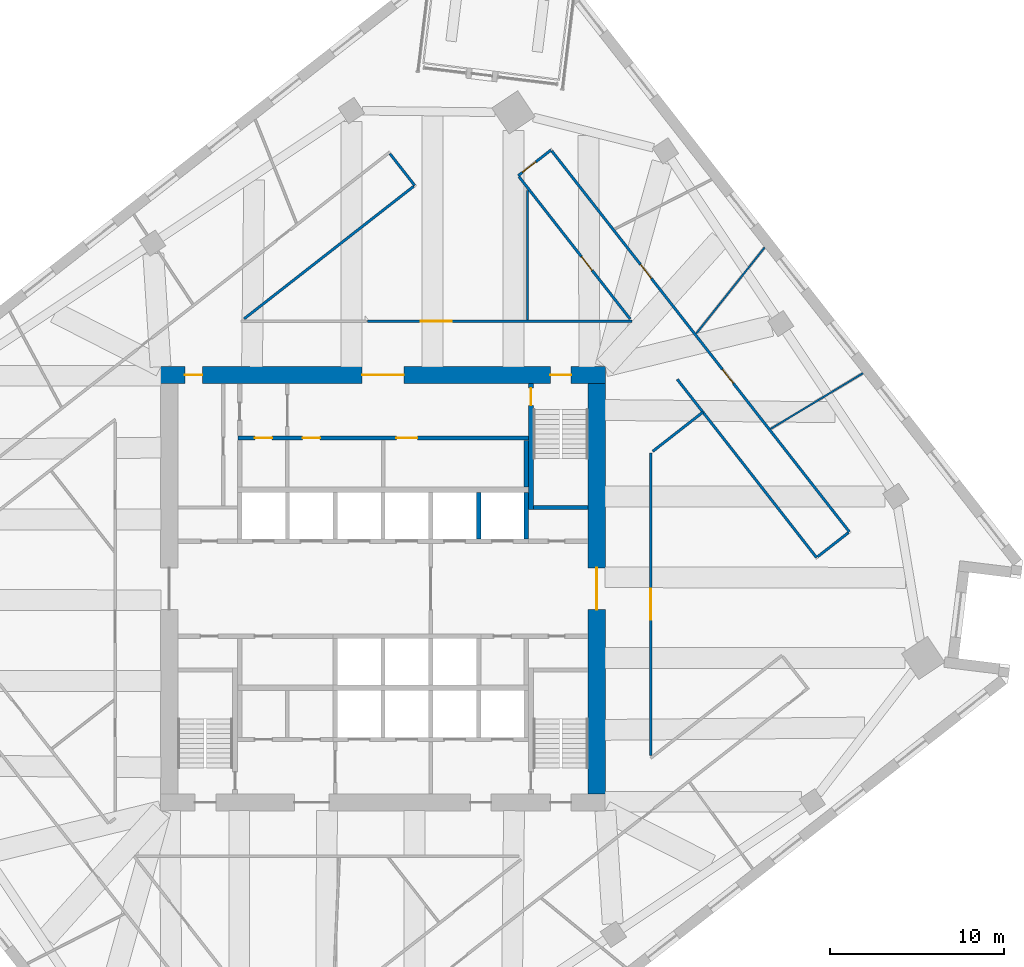
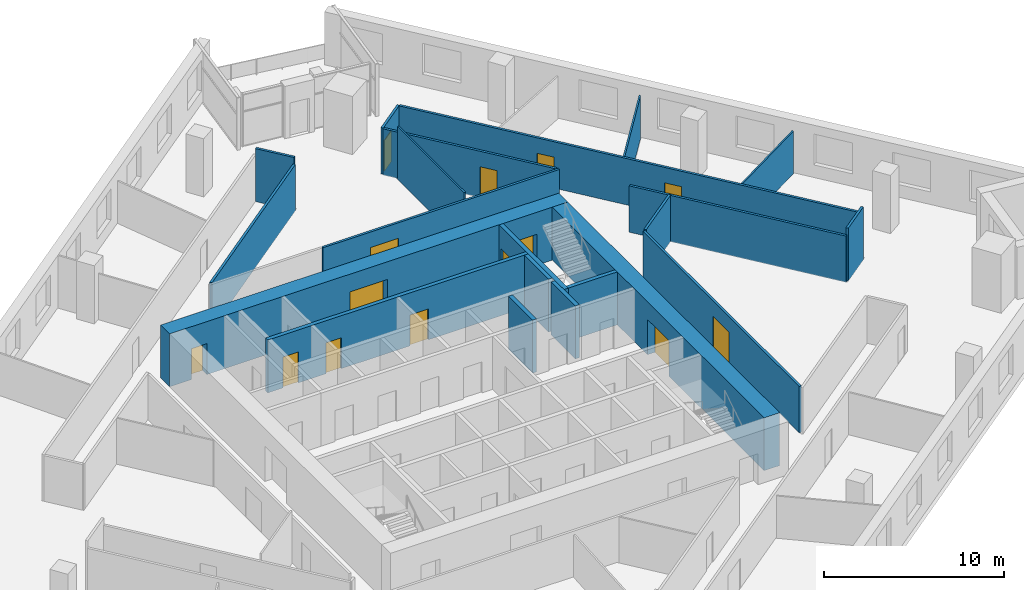
# One storey, part 8 of 11: 21 walls, 14 doors, 14 openings.
"""IFC4 building model written with IfcOpenShell, lengths in metres."""

from ifc_helpers import new_model, si_unit, direction, frame, frame_2d, origin, place, context, subcontext, project, spatial, rectangle, extrude, material, layer, layer_set, type_object, element, fill, save


model = new_model("IFC4")

# Units and contexts
model_context = context("Model", 3, precision=1e-05, world=origin(), true_north=direction((0.0, 1.0)))
body_context = subcontext(model_context, "Body", "Model", "MODEL_VIEW")
ifc_project = project(units=[si_unit("LENGTHUNIT", "METRE"), si_unit("AREAUNIT", "SQUARE_METRE"), si_unit("VOLUMEUNIT", "CUBIC_METRE"), si_unit("PLANEANGLEUNIT", "RADIAN"), si_unit("MASSUNIT", "GRAM", prefix="KILO")], contexts=[model_context])

# Site, building, storey
site_placement = place(None, origin())
site = spatial("IfcSite", under=ifc_project, at=site_placement, CompositionType="ELEMENT")
building_placement = place(site_placement, origin())
building = spatial("IfcBuilding", under=site, at=building_placement, Name="Dilmun Exchange Tower", CompositionType="ELEMENT")
storey_placement = place(building_placement, frame((0.0, 0.0, 179.699951171875)))
storey = spatial("IfcBuildingStorey", under=building, at=storey_placement, Name="L42", CompositionType="ELEMENT", Elevation=179.699951171875)

# Wall
ifc_material_1 = material(Name="Concrete C40/50", Category="concrete")
ifc_layer_1 = layer(ifc_material_1, 0.25)
ifc_layer_set_1 = layer_set([ifc_layer_1], Name="Concrete C40/50")
wall_type_1 = type_object("IfcWallType", Name="Core partition wall 250", PredefinedType="PARTITIONING", material=ifc_layer_set_1)
wall_1_placement = place(storey_placement, frame((8.25, 5.85498046875, 0.0), z_axis=(0.0, 0.0, 1.0), x_axis=(0.0, 1.0, 0.0)))
element("IfcWall", 1, at=wall_1_placement, inside=storey, type_object=wall_type_1, Name="L42 core partition wall 19", PredefinedType="PARTITIONING", context=body_context, shape_type="SweptSolid", body=[
    extrude(rectangle(XDim=2.68994140625, YDim=0.25, at=frame_2d((1.344970703125, 0.0))), origin(), (0.0, 0.0, 1.0), 3.60009765625),
])

# Wall, openings, doors
wall_2_placement = place(storey_placement, frame((-8.35009765625, 8.675048828125, 0.0), z_axis=(0.0, 0.0, 1.0), x_axis=(1.0, 0.0, 0.0)))
wall_2 = element("IfcWall", 2, at=wall_2_placement, inside=storey, type_object=wall_type_1, Name="L42 core partition wall 20", PredefinedType="PARTITIONING", context=body_context, shape_type="SweptSolid", body=[
    extrude(rectangle(XDim=16.72021484375, YDim=0.25, at=frame_2d((8.360107421875, 0.0))), origin(), (0.0, 0.0, 1.0), 3.60009765625),
])
opening_1_placement = place(wall_2_placement, frame((0.97509765625, 0.0, 0.0)))
opening_1 = element("IfcOpeningElement", 3, at=opening_1_placement, cuts=wall_2, Name="Opening CD4", PredefinedType="OPENING", context=body_context, shape_type="SweptSolid", body=[
    extrude(rectangle(XDim=1.0, YDim=2.10009765625, at=frame_2d((0.5, 1.050048828125))), frame((0.0, 0.135009765625, 0.0), z_axis=(0.0, -1.0, 0.0), x_axis=(1.0, 0.0, 0.0)), (0.0, 0.0, 1.0), 0.27001953125),
])
opening_2_placement = place(wall_2_placement, frame((3.72509765625, 0.0, 0.0)))
opening_2 = element("IfcOpeningElement", 4, at=opening_2_placement, cuts=wall_2, Name="Opening CD4", PredefinedType="OPENING", context=body_context, shape_type="SweptSolid", body=[
    extrude(rectangle(XDim=1.0, YDim=2.10009765625, at=frame_2d((0.5, 1.050048828125))), frame((0.0, 0.135009765625, 0.0), z_axis=(0.0, -1.0, 0.0), x_axis=(1.0, 0.0, 0.0)), (0.0, 0.0, 1.0), 0.27001953125),
])
opening_3_placement = place(wall_2_placement, frame((9.125, 0.0, 0.0)))
opening_3 = element("IfcOpeningElement", 5, at=opening_3_placement, cuts=wall_2, Name="Opening CD3", PredefinedType="OPENING", context=body_context, shape_type="SweptSolid", body=[
    extrude(rectangle(XDim=1.199951171875, YDim=2.10009765625, at=frame_2d((0.60009765625, 1.050048828125))), frame((0.0, 0.135009765625, 0.0), z_axis=(0.0, -1.0, 0.0), x_axis=(1.0, 0.0, 0.0)), (0.0, 0.0, 1.0), 0.27001953125),
])
ifc_material_2 = material(Name="Fire-rated steel door set", Category="steel")
door_type_1 = type_object("IfcDoorType", Name="Core room door 1000x2100", OperationType="SINGLE_SWING_LEFT", PredefinedType="DOOR", material=ifc_material_2)
door_1_placement = place(opening_1_placement, origin())
door_1 = element("IfcDoor", 6, at=door_1_placement, inside=storey, type_object=door_type_1, Name="L42 door Tenant store", OperationType="SINGLE_SWING_LEFT", OverallHeight=2.10009765625, OverallWidth=1.0, PredefinedType="DOOR", context=body_context, shape_type="SweptSolid", body=[
    extrude(rectangle(XDim=1.0, YDim=2.10009765625, at=frame_2d((0.5, 1.050048828125))), frame((0.0, 0.02490234375, 0.0), z_axis=(0.0, -1.0, 0.0), x_axis=(1.0, 0.0, 0.0)), (0.0, 0.0, 1.0), 0.050048828125),
])
fill(opening_1, door_1)
door_2_placement = place(opening_2_placement, origin())
door_2 = element("IfcDoor", 7, at=door_2_placement, inside=storey, type_object=door_type_1, Name="L42 door Mechanical room", OperationType="SINGLE_SWING_LEFT", OverallHeight=2.10009765625, OverallWidth=1.0, PredefinedType="DOOR", context=body_context, shape_type="SweptSolid", body=[
    extrude(rectangle(XDim=1.0, YDim=2.10009765625, at=frame_2d((0.5, 1.050048828125))), frame((0.0, 0.02490234375, 0.0), z_axis=(0.0, -1.0, 0.0), x_axis=(1.0, 0.0, 0.0)), (0.0, 0.0, 1.0), 0.050048828125),
])
fill(opening_2, door_2)
door_type_2 = type_object("IfcDoorType", Name="Stair exit door 1200x2100", OperationType="SINGLE_SWING_LEFT", PredefinedType="DOOR", material=ifc_material_2)
door_3_placement = place(opening_3_placement, origin())
door_3 = element("IfcDoor", 8, at=door_3_placement, inside=storey, type_object=door_type_2, Name="L42 door Tenant meeting suite", OperationType="SINGLE_SWING_LEFT", OverallHeight=2.10009765625, OverallWidth=1.199951171875, PredefinedType="DOOR", context=body_context, shape_type="SweptSolid", body=[
    extrude(rectangle(XDim=1.199951171875, YDim=2.10009765625, at=frame_2d((0.60009765625, 1.050048828125))), frame((0.0, 0.02490234375, 0.0), z_axis=(0.0, -1.0, 0.0), x_axis=(1.0, 0.0, 0.0)), (0.0, 0.0, 1.0), 0.050048828125),
])
fill(opening_3, door_3)

ifc_material_3 = material(Name="Concrete C70/85", Category="concrete")
ifc_layer_2 = layer(ifc_material_3, 1.0)
ifc_layer_set_2 = layer_set([ifc_layer_2], Name="Concrete C70/85")
wall_type_2 = type_object("IfcWallType", Name="Core shear wall 1000 Concrete C70/85", PredefinedType="SHEAR", material=ifc_layer_set_2)
wall_3_placement = place(storey_placement, frame((-12.800048828125, 12.300048828125, 0.0), z_axis=(0.0, 0.0, 1.0), x_axis=(1.0, 0.0, 0.0)))
wall_3 = element("IfcWall", 9, at=wall_3_placement, inside=storey, type_object=wall_type_2, Name="L42 core shear wall N", PredefinedType="SHEAR", context=body_context, shape_type="SweptSolid", body=[
    extrude(rectangle(XDim=25.60009765625, YDim=1.0, at=frame_2d((12.800048828125, 0.0))), origin(), (0.0, 0.0, 1.0), 3.60009765625),
])
opening_4_placement = place(wall_3_placement, frame((11.60009765625, 0.0, 0.0)))
opening_4 = element("IfcOpeningElement", 10, at=opening_4_placement, cuts=wall_3, Name="Opening CD1", PredefinedType="OPENING", context=body_context, shape_type="SweptSolid", body=[
    extrude(rectangle(XDim=2.39990234375, YDim=2.39990234375, at=frame_2d((1.199951171875, 1.199951171875))), frame((0.0, 0.510009765625, 0.0), z_axis=(0.0, -1.0, 0.0), x_axis=(1.0, 0.0, 0.0)), (0.0, 0.0, 1.0), 1.02001953125),
])
opening_5_placement = place(wall_3_placement, frame((22.425048828125, 0.0, 0.0)))
opening_5 = element("IfcOpeningElement", 11, at=opening_5_placement, cuts=wall_3, Name="Opening CD3", PredefinedType="OPENING", context=body_context, shape_type="SweptSolid", body=[
    extrude(rectangle(XDim=1.199951171875, YDim=2.10009765625, at=frame_2d((0.60009765625, 1.050048828125))), frame((0.0, 0.510009765625, 0.0), z_axis=(0.0, -1.0, 0.0), x_axis=(1.0, 0.0, 0.0)), (0.0, 0.0, 1.0), 1.02001953125),
])
opening_6_placement = place(wall_3_placement, frame((1.39990234375, 0.0, 0.0)))
opening_6 = element("IfcOpeningElement", 12, at=opening_6_placement, cuts=wall_3, Name="Opening CD4", PredefinedType="OPENING", context=body_context, shape_type="SweptSolid", body=[
    extrude(rectangle(XDim=1.0, YDim=2.10009765625, at=frame_2d((0.5, 1.050048828125))), frame((0.0, 0.510009765625, 0.0), z_axis=(0.0, -1.0, 0.0), x_axis=(1.0, 0.0, 0.0)), (0.0, 0.0, 1.0), 1.02001953125),
])
door_type_3 = type_object("IfcDoorType", Name="Core lobby door 2400x2400", OperationType="DOUBLE_DOOR_DOUBLE_SWING", PredefinedType="DOOR", material=ifc_material_2)
door_4_placement = place(opening_4_placement, origin())
door_4 = element("IfcDoor", 13, at=door_4_placement, inside=storey, type_object=door_type_3, Name="L42 door North lift lobby", OperationType="SINGLE_SWING_LEFT", OverallHeight=2.39990234375, OverallWidth=2.39990234375, PredefinedType="DOOR", context=body_context, shape_type="SweptSolid", body=[
    extrude(rectangle(XDim=2.39990234375, YDim=2.39990234375, at=frame_2d((1.199951171875, 1.199951171875))), frame((0.0, 0.02490234375, 0.0), z_axis=(0.0, -1.0, 0.0), x_axis=(1.0, 0.0, 0.0)), (0.0, 0.0, 1.0), 0.050048828125),
])
fill(opening_4, door_4)
door_5_placement = place(opening_6_placement, origin())
door_5 = element("IfcDoor", 14, at=door_5_placement, inside=storey, type_object=door_type_1, Name="L42 door North-west core rooms", OperationType="SINGLE_SWING_LEFT", OverallHeight=2.10009765625, OverallWidth=1.0, PredefinedType="DOOR", context=body_context, shape_type="SweptSolid", body=[
    extrude(rectangle(XDim=1.0, YDim=2.10009765625, at=frame_2d((0.5, 1.050048828125))), frame((0.0, 0.02490234375, 0.0), z_axis=(0.0, -1.0, 0.0), x_axis=(1.0, 0.0, 0.0)), (0.0, 0.0, 1.0), 0.050048828125),
])
fill(opening_6, door_5)
door_6_placement = place(opening_5_placement, origin())
door_6 = element("IfcDoor", 15, at=door_6_placement, inside=storey, type_object=door_type_2, Name="L42 door Stair ST1", OperationType="SINGLE_SWING_LEFT", OverallHeight=2.10009765625, OverallWidth=1.199951171875, PredefinedType="DOOR", context=body_context, shape_type="SweptSolid", body=[
    extrude(rectangle(XDim=1.199951171875, YDim=2.10009765625, at=frame_2d((0.60009765625, 1.050048828125))), frame((0.0, 0.02490234375, 0.0), z_axis=(0.0, -1.0, 0.0), x_axis=(1.0, 0.0, 0.0)), (0.0, 0.0, 1.0), 0.050048828125),
])
fill(opening_5, door_6)

# Wall, opening, door
wall_4_placement = place(storey_placement, frame((12.300048828125, -11.800048828125, 0.0), z_axis=(0.0, 0.0, 1.0), x_axis=(0.0, 1.0, 0.0)))
wall_4 = element("IfcWall", 16, at=wall_4_placement, inside=storey, type_object=wall_type_2, Name="L42 core shear wall E", PredefinedType="SHEAR", context=body_context, shape_type="SweptSolid", body=[
    extrude(rectangle(XDim=23.60009765625, YDim=1.0, at=frame_2d((11.800048828125, 0.0))), origin(), (0.0, 0.0, 1.0), 3.60009765625),
])
opening_7_placement = place(wall_4_placement, frame((10.60009765625, 0.0, 0.0)))
opening_7 = element("IfcOpeningElement", 17, at=opening_7_placement, cuts=wall_4, Name="Opening CD1", PredefinedType="OPENING", context=body_context, shape_type="SweptSolid", body=[
    extrude(rectangle(XDim=2.39990234375, YDim=2.39990234375, at=frame_2d((1.199951171875, 1.199951171875))), frame((0.0, 0.510009765625, 0.0), z_axis=(0.0, -1.0, 0.0), x_axis=(1.0, 0.0, 0.0)), (0.0, 0.0, 1.0), 1.02001953125),
])
door_7_placement = place(opening_7_placement, origin())
door_7 = element("IfcDoor", 18, at=door_7_placement, inside=storey, type_object=door_type_3, Name="L42 door Central lift lobby", OperationType="SINGLE_SWING_LEFT", OverallHeight=2.39990234375, OverallWidth=2.39990234375, PredefinedType="DOOR", context=body_context, shape_type="SweptSolid", body=[
    extrude(rectangle(XDim=2.39990234375, YDim=2.39990234375, at=frame_2d((1.199951171875, 1.199951171875))), frame((0.0, 0.02490234375, 0.0), z_axis=(0.0, -1.0, 0.0), x_axis=(1.0, 0.0, 0.0)), (0.0, 0.0, 1.0), 0.050048828125),
])
fill(opening_7, door_7)

# Wall
ifc_material_4 = material(Name="Corridor wall 150")
ifc_layer_3 = layer(ifc_material_4, 0.14990234375)
ifc_layer_set_3 = layer_set([ifc_layer_3], Name="Corridor wall 150")
wall_type_3 = type_object("IfcWallType", Name="Corridor wall 150", PredefinedType="PARTITIONING", material=ifc_layer_set_3)
wall_5_placement = place(storey_placement, frame((-7.9912109375, 15.5341796875, 0.0), z_axis=(0.0, 0.0, 1.0), x_axis=(0.788030651404, 0.615636006459, 0.0)))
element("IfcWall", 19, at=wall_5_placement, inside=storey, type_object=wall_type_3, Name="Corridor wall", PredefinedType="PARTITIONING", context=body_context, shape_type="SweptSolid", body=[
    extrude(rectangle(XDim=12.381591796875, YDim=0.14990234375, at=frame_2d((6.19091796875, 0.0))), origin(), (0.0, 0.0, 1.0), 3.150146484375),
])

# Wall, opening, door
wall_6_placement = place(storey_placement, frame((-0.889892578125, 15.39990234375, 0.0), z_axis=(0.0, 0.0, 1.0), x_axis=(1.0, 0.0, 0.0)))
wall_6 = element("IfcWall", 20, at=wall_6_placement, inside=storey, type_object=wall_type_3, Name="Corridor wall", PredefinedType="PARTITIONING", context=body_context, shape_type="SweptSolid", body=[
    extrude(rectangle(XDim=15.203857421875, YDim=0.14990234375, at=frame_2d((7.60205078125, 0.0))), origin(), (0.0, 0.0, 1.0), 3.150146484375),
])
opening_8_placement = place(wall_6_placement, frame((3.050048828125, 0.0, 0.0)))
opening_8 = element("IfcOpeningElement", 21, at=opening_8_placement, cuts=wall_6, Name="Opening TF41-D13", PredefinedType="OPENING", context=body_context, shape_type="SweptSolid", body=[
    extrude(rectangle(XDim=1.800048828125, YDim=2.10009765625, at=frame_2d((0.89990234375, 1.050048828125))), frame((0.0, 0.0849609375, 0.0), z_axis=(0.0, -1.0, 0.0), x_axis=(1.0, 0.0, 0.0)), (0.0, 0.0, 1.0), 0.169921875),
])
ifc_material_5 = material(Name="Fire door pair 1800 x 2100")
door_type_4 = type_object("IfcDoorType", Name="Fire door pair 1800 x 2100", OperationType="NOTDEFINED", PredefinedType="DOOR", material=ifc_material_5)
door_8_placement = place(opening_8_placement, origin())
door_8 = element("IfcDoor", 22, at=door_8_placement, inside=storey, type_object=door_type_4, Name="Door TF41-D13", OperationType="DOUBLE_DOOR_SINGLE_SWING", OverallHeight=2.10009765625, OverallWidth=1.800048828125, PredefinedType="DOOR", context=body_context, shape_type="SweptSolid", body=[
    extrude(rectangle(XDim=1.800048828125, YDim=2.10009765625, at=frame_2d((0.89990234375, 1.050048828125))), frame((0.0, 0.02490234375, 0.0), z_axis=(0.0, -1.0, 0.0), x_axis=(1.0, 0.0, 0.0)), (0.0, 0.0, 1.0), 0.050048828125),
])
fill(opening_8, door_8)

# Wall
wall_7_placement = place(storey_placement, frame((0.394287109375, 25.035888671875, 0.0), z_axis=(0.0, 0.0, 1.0), x_axis=(0.615277221136, -0.788310815067, 0.0)))
element("IfcWall", 23, at=wall_7_placement, inside=storey, type_object=wall_type_3, Name="Corridor wall", PredefinedType="PARTITIONING", context=body_context, shape_type="SweptSolid", body=[
    extrude(rectangle(XDim=2.3251953125, YDim=0.14990234375, at=frame_2d((1.16259765625, 0.0))), origin(), (0.0, 0.0, 1.0), 3.60009765625),
])

# Wall, opening, door
wall_8_placement = place(storey_placement, frame((7.77587890625, 23.76904296875, 0.0), z_axis=(0.0, 0.0, 1.0), x_axis=(0.788101492335, 0.615545317406, 0.0)))
wall_8 = element("IfcWall", 24, at=wall_8_placement, inside=storey, type_object=wall_type_3, Name="Corridor wall", PredefinedType="PARTITIONING", context=body_context, shape_type="SweptSolid", body=[
    extrude(rectangle(XDim=2.399658203125, YDim=0.14990234375, at=frame_2d((1.19970703125, 0.0))), origin(), (0.0, 0.0, 1.0), 3.150146484375),
])
opening_9_placement = place(wall_8_placement, frame((0.300048828125, 0.0, 0.0)))
opening_9 = element("IfcOpeningElement", 25, at=opening_9_placement, cuts=wall_8, Name="Opening TF41-D14", PredefinedType="OPENING", context=body_context, shape_type="SweptSolid", body=[
    extrude(rectangle(XDim=1.0, YDim=2.10009765625, at=frame_2d((0.5, 1.050048828125))), frame((0.0, 0.0849609375, 0.0), z_axis=(0.0, -1.0, 0.0), x_axis=(1.0, 0.0, 0.0)), (0.0, 0.0, 1.0), 0.169921875),
])
ifc_material_6 = material(Name="Fire door 1000 x 2100")
door_type_5 = type_object("IfcDoorType", Name="Fire door 1000 x 2100", OperationType="NOTDEFINED", PredefinedType="DOOR", material=ifc_material_6)
door_9_placement = place(opening_9_placement, origin())
door_9 = element("IfcDoor", 26, at=door_9_placement, inside=storey, type_object=door_type_5, Name="Door TF41-D14", OperationType="SINGLE_SWING_LEFT", OverallHeight=2.10009765625, OverallWidth=1.0, PredefinedType="DOOR", context=body_context, shape_type="SweptSolid", body=[
    extrude(rectangle(XDim=1.0, YDim=2.10009765625, at=frame_2d((0.5, 1.050048828125))), frame((0.0, 0.02490234375, 0.0), z_axis=(0.0, -1.0, 0.0), x_axis=(1.0, 0.0, 0.0)), (0.0, 0.0, 1.0), 0.050048828125),
])
fill(opening_9, door_9)

wall_9_placement = place(storey_placement, frame((7.822265625, 23.7099609375, 0.0), z_axis=(0.0, 0.0, 1.0), x_axis=(0.615616229425, -0.788046101487, 0.0)))
wall_9 = element("IfcWall", 27, at=wall_9_placement, inside=storey, type_object=wall_type_3, Name="Corridor wall", PredefinedType="PARTITIONING", context=body_context, shape_type="SweptSolid", body=[
    extrude(rectangle(XDim=10.39111328125, YDim=0.14990234375, at=frame_2d((5.195556640625, 0.0))), origin(), (0.0, 0.0, 1.0), 3.150146484375),
])
opening_10_placement = place(wall_9_placement, frame((5.83935546875, 0.0, 0.0)))
opening_10 = element("IfcOpeningElement", 28, at=opening_10_placement, cuts=wall_9, Name="Opening TF41-D15", PredefinedType="OPENING", context=body_context, shape_type="SweptSolid", body=[
    extrude(rectangle(XDim=1.0, YDim=2.10009765625, at=frame_2d((0.5, 1.050048828125))), frame((0.0, 0.0849609375, 0.0), z_axis=(0.0, -1.0, 0.0), x_axis=(1.0, 0.0, 0.0)), (0.0, 0.0, 1.0), 0.169921875),
])
door_10_placement = place(opening_10_placement, frame((1.0, 0.0, 0.0), z_axis=(0.0, 0.0, 1.0), x_axis=(-1.0, 0.0, 0.0)))
door_10 = element("IfcDoor", 29, at=door_10_placement, inside=storey, type_object=door_type_5, Name="Door TF41-D15", OperationType="SINGLE_SWING_LEFT", OverallHeight=2.10009765625, OverallWidth=1.0, PredefinedType="DOOR", context=body_context, shape_type="SweptSolid", body=[
    extrude(rectangle(XDim=1.0, YDim=2.10009765625, at=frame_2d((0.5, 1.050048828125))), frame((0.0, 0.02490234375, 0.0), z_axis=(0.0, -1.0, 0.0), x_axis=(1.0, 0.0, 0.0)), (0.0, 0.0, 1.0), 0.050048828125),
])
fill(opening_10, door_10)

# Wall, openings, doors
wall_10_placement = place(storey_placement, frame((9.713134765625, 25.18701171875, 0.0), z_axis=(0.0, 0.0, 1.0), x_axis=(0.615659714696, -0.788012129158, 0.0)))
wall_10 = element("IfcWall", 30, at=wall_10_placement, inside=storey, type_object=wall_type_3, Name="Corridor wall", PredefinedType="PARTITIONING", context=body_context, shape_type="SweptSolid", body=[
    extrude(rectangle(XDim=27.810546875, YDim=0.14990234375, at=frame_2d((13.9052734375, 0.0))), origin(), (0.0, 0.0, 1.0), 3.150146484375),
])
opening_11_placement = place(wall_10_placement, frame((8.298583984375, 0.0, 0.0)))
opening_11 = element("IfcOpeningElement", 31, at=opening_11_placement, cuts=wall_10, Name="Opening TF41-D17", PredefinedType="OPENING", context=body_context, shape_type="SweptSolid", body=[
    extrude(rectangle(XDim=1.0, YDim=2.10009765625, at=frame_2d((0.5, 1.050048828125))), frame((0.0, 0.0849609375, 0.0), z_axis=(0.0, -1.0, 0.0), x_axis=(1.0, 0.0, 0.0)), (0.0, 0.0, 1.0), 0.169921875),
])
opening_12_placement = place(wall_10_placement, frame((15.950927734375, 0.0, 0.0)))
opening_12 = element("IfcOpeningElement", 32, at=opening_12_placement, cuts=wall_10, Name="Opening TF41-D18", PredefinedType="OPENING", context=body_context, shape_type="SweptSolid", body=[
    extrude(rectangle(XDim=1.0, YDim=2.10009765625, at=frame_2d((0.5, 1.050048828125))), frame((0.0, 0.0849609375, 0.0), z_axis=(0.0, -1.0, 0.0), x_axis=(1.0, 0.0, 0.0)), (0.0, 0.0, 1.0), 0.169921875),
])
door_11_placement = place(opening_11_placement, origin())
door_11 = element("IfcDoor", 33, at=door_11_placement, inside=storey, type_object=door_type_5, Name="Door TF41-D17", OperationType="SINGLE_SWING_RIGHT", OverallHeight=2.10009765625, OverallWidth=1.0, PredefinedType="DOOR", context=body_context, shape_type="SweptSolid", body=[
    extrude(rectangle(XDim=1.0, YDim=2.10009765625, at=frame_2d((0.5, 1.050048828125))), frame((0.0, 0.02490234375, 0.0), z_axis=(0.0, -1.0, 0.0), x_axis=(1.0, 0.0, 0.0)), (0.0, 0.0, 1.0), 0.050048828125),
])
fill(opening_11, door_11)
door_12_placement = place(opening_12_placement, origin())
door_12 = element("IfcDoor", 34, at=door_12_placement, inside=storey, type_object=door_type_5, Name="Door TF41-D18", OperationType="SINGLE_SWING_LEFT", OverallHeight=2.10009765625, OverallWidth=1.0, PredefinedType="DOOR", context=body_context, shape_type="SweptSolid", body=[
    extrude(rectangle(XDim=1.0, YDim=2.10009765625, at=frame_2d((0.5, 1.050048828125))), frame((0.0, 0.02490234375, 0.0), z_axis=(0.0, -1.0, 0.0), x_axis=(1.0, 0.0, 0.0)), (0.0, 0.0, 1.0), 0.050048828125),
])
fill(opening_12, door_12)

# Wall, opening, door
wall_11_placement = place(storey_placement, frame((15.39990234375, -9.59228515625, 0.0), z_axis=(0.0, 0.0, 1.0), x_axis=(0.0, 1.0, 0.0)))
wall_11 = element("IfcWall", 35, at=wall_11_placement, inside=storey, type_object=wall_type_3, Name="Corridor wall", PredefinedType="PARTITIONING", context=body_context, shape_type="SweptSolid", body=[
    extrude(rectangle(XDim=17.4052734375, YDim=0.14990234375, at=frame_2d((8.70263671875, 0.0))), origin(), (0.0, 0.0, 1.0), 3.150146484375),
])
opening_13_placement = place(wall_11_placement, frame((7.800048828125, 0.0, 0.0)))
opening_13 = element("IfcOpeningElement", 36, at=opening_13_placement, cuts=wall_11, Name="Opening TF41-D19", PredefinedType="OPENING", context=body_context, shape_type="SweptSolid", body=[
    extrude(rectangle(XDim=1.800048828125, YDim=2.10009765625, at=frame_2d((0.89990234375, 1.050048828125))), frame((0.0, 0.0849609375, 0.0), z_axis=(0.0, -1.0, 0.0), x_axis=(1.0, 0.0, 0.0)), (0.0, 0.0, 1.0), 0.169921875),
])
door_13_placement = place(opening_13_placement, frame((1.800048828125, 0.0, 0.0), z_axis=(0.0, 0.0, 1.0), x_axis=(-1.0, 0.0, 0.0)))
door_13 = element("IfcDoor", 37, at=door_13_placement, inside=storey, type_object=door_type_4, Name="Door TF41-D19", OperationType="DOUBLE_DOOR_SINGLE_SWING", OverallHeight=2.10009765625, OverallWidth=1.800048828125, PredefinedType="DOOR", context=body_context, shape_type="SweptSolid", body=[
    extrude(rectangle(XDim=1.800048828125, YDim=2.10009765625, at=frame_2d((0.89990234375, 1.050048828125))), frame((0.0, 0.02490234375, 0.0), z_axis=(0.0, -1.0, 0.0), x_axis=(1.0, 0.0, 0.0)), (0.0, 0.0, 1.0), 0.050048828125),
])
fill(opening_13, door_13)

# Walls
wall_12_placement = place(storey_placement, frame((15.521240234375, 7.90771484375, 0.0), z_axis=(0.0, 0.0, 1.0), x_axis=(0.787935399888, 0.615757911524, 0.0)))
element("IfcWall", 38, at=wall_12_placement, inside=storey, type_object=wall_type_3, Name="Corridor wall", PredefinedType="PARTITIONING", context=body_context, shape_type="SweptSolid", body=[
    extrude(rectangle(XDim=3.6611328125, YDim=0.14990234375, at=frame_2d((1.83056640625, 0.0))), origin(), (0.0, 0.0, 1.0), 3.150146484375),
])
wall_13_placement = place(storey_placement, frame((16.928955078125, 12.052978515625, 0.0), z_axis=(0.0, 0.0, 1.0), x_axis=(0.615693171882, -0.787985988516, 0.0)))
element("IfcWall", 39, at=wall_13_placement, inside=storey, type_object=wall_type_3, Name="Corridor wall", PredefinedType="PARTITIONING", context=body_context, shape_type="SweptSolid", body=[
    extrude(rectangle(XDim=13.01806640625, YDim=0.14990234375, at=frame_2d((6.509033203125, 0.0))), origin(), (0.0, 0.0, 1.0), 3.150146484375),
])
wall_14_placement = place(storey_placement, frame((25.003173828125, 1.84130859375, 0.0), z_axis=(0.0, 0.0, 1.0), x_axis=(0.788111579875, 0.6155324018, 0.0)))
element("IfcWall", 40, at=wall_14_placement, inside=storey, type_object=wall_type_3, Name="Corridor wall", PredefinedType="PARTITIONING", context=body_context, shape_type="SweptSolid", body=[
    extrude(rectangle(XDim=2.249267578125, YDim=0.14990234375, at=frame_2d((1.12451171875, 0.0))), origin(), (0.0, 0.0, 1.0), 3.60009765625),
])
ifc_layer_4 = layer(ifc_material_1, 0.25)
ifc_layer_set_4 = layer_set([ifc_layer_4], Name="Concrete C40/50")
wall_type_4 = type_object("IfcWallType", Name="Lift shaft wall 250", PredefinedType="SOLIDWALL", material=ifc_layer_set_4)
for number, where, z_axis, x_axis, name in (
    (41, (5.5, 2.85009765625, 0.0), (0.0, 0.0, 1.0), (0.0, 1.0, 0.0), "L42 lift shaft divider N15"),
    (42, (8.25, 2.85009765625, 0.0), (0.0, 0.0, 1.0), (0.0, 1.0, 0.0), "L42 lift shaft divider N16"),
):
    element("IfcWall", number, at=place(storey_placement, frame(where, z_axis=z_axis, x_axis=x_axis)), inside=storey, type_object=wall_type_4, Name=name, PredefinedType="SOLIDWALL", context=body_context, shape_type="SweptSolid", body=[
        extrude(rectangle(XDim=2.699951171875, YDim=0.25, at=frame_2d((1.35009765625, 0.0))), origin(), (0.0, 0.0, 1.0), 3.60009765625),
    ])
ifc_material_7 = material(Name="Partition 100")
ifc_layer_5 = layer(ifc_material_7, 0.10009765625)
ifc_layer_set_5 = layer_set([ifc_layer_5], Name="Partition 100")
wall_type_5 = type_object("IfcWallType", Name="Partition 100", PredefinedType="PARTITIONING", material=ifc_layer_set_5)
wall_15_placement = place(storey_placement, frame((8.30810546875, 15.47509765625, 0.0), z_axis=(0.0, 0.0, 1.0), x_axis=(0.0, 1.0, 0.0)))
element("IfcWall", 43, at=wall_15_placement, inside=storey, type_object=wall_type_5, Name="Partition", PredefinedType="PARTITIONING", context=body_context, shape_type="SweptSolid", body=[
    extrude(rectangle(XDim=7.427001953125, YDim=0.10009765625, at=frame_2d((3.71337890625, 0.0))), origin(), (0.0, 0.0, 1.0), 3.60009765625),
])
wall_16_placement = place(storey_placement, frame((18.025390625, 14.688720703125, 0.0), z_axis=(0.0, 0.0, 1.0), x_axis=(0.622051275171, 0.782976507348, 0.0)))
element("IfcWall", 44, at=wall_16_placement, inside=storey, type_object=wall_type_5, Name="Partition", PredefinedType="PARTITIONING", context=body_context, shape_type="SweptSolid", body=[
    extrude(rectangle(XDim=6.326416015625, YDim=0.10009765625, at=frame_2d((3.1630859375, 0.0))), origin(), (0.0, 0.0, 1.0), 2.900146484375),
])
wall_17_placement = place(storey_placement, frame((22.304931640625, 9.2021484375, 0.0), z_axis=(0.0, 0.0, 1.0), x_axis=(0.856511778294, 0.516127478095, 0.0)))
element("IfcWall", 45, at=wall_17_placement, inside=storey, type_object=wall_type_5, Name="Partition", PredefinedType="PARTITIONING", context=body_context, shape_type="SweptSolid", body=[
    extrude(rectangle(XDim=6.201416015625, YDim=0.10009765625, at=frame_2d((3.1005859375, 0.0))), origin(), (0.0, 0.0, 1.0), 2.900146484375),
])
ifc_layer_6 = layer(ifc_material_1, 0.25)
ifc_layer_set_6 = layer_set([ifc_layer_6], Name="Concrete C40/50")
wall_type_6 = type_object("IfcWallType", Name="Stair end wall 250", PredefinedType="SOLIDWALL", material=ifc_layer_set_6)
wall_18_placement = place(storey_placement, frame((8.64990234375, 4.675048828125, 0.0), z_axis=(0.0, 0.0, 1.0), x_axis=(1.0, 0.0, 0.0)))
element("IfcWall", 46, at=wall_18_placement, inside=storey, type_object=wall_type_6, Name="L42 ST1 far wall", PredefinedType="SOLIDWALL", context=body_context, shape_type="SweptSolid", body=[
    extrude(rectangle(XDim=3.150146484375, YDim=0.25, at=frame_2d((1.5751953125, 0.0))), origin(), (0.0, 0.0, 1.0), 3.60009765625),
])

# Wall, opening, door
ifc_layer_7 = layer(ifc_material_1, 0.27490234375)
ifc_layer_set_7 = layer_set([ifc_layer_7], Name="Concrete C40/50")
wall_type_7 = type_object("IfcWallType", Name="Stair wall 275", PredefinedType="SOLIDWALL", material=ifc_layer_set_7)
wall_19_placement = place(storey_placement, frame((8.512451171875, 4.550048828125, 0.0), z_axis=(0.0, 0.0, 1.0), x_axis=(0.0, 1.0, 0.0)))
wall_19 = element("IfcWall", 47, at=wall_19_placement, inside=storey, type_object=wall_type_7, Name="L42 ST1 wall to lift block", PredefinedType="SOLIDWALL", context=body_context, shape_type="SweptSolid", body=[
    extrude(rectangle(XDim=7.25, YDim=0.27490234375, at=frame_2d((3.625, 0.0))), origin(), (0.0, 0.0, 1.0), 3.60009765625),
])
opening_14_placement = place(wall_19_placement, frame((6.0, 0.0, 0.0)))
opening_14 = element("IfcOpeningElement", 48, at=opening_14_placement, cuts=wall_19, Name="Opening CD4", PredefinedType="OPENING", context=body_context, shape_type="SweptSolid", body=[
    extrude(rectangle(XDim=1.0, YDim=2.10009765625, at=frame_2d((0.5, 1.050048828125))), frame((0.0, 0.1474609375, 0.0), z_axis=(0.0, -1.0, 0.0), x_axis=(1.0, 0.0, 0.0)), (0.0, 0.0, 1.0), 0.294921875),
])
door_14_placement = place(opening_14_placement, origin())
door_14 = element("IfcDoor", 49, at=door_14_placement, inside=storey, type_object=door_type_1, Name="L42 door ST1 from lobby", OperationType="SINGLE_SWING_LEFT", OverallHeight=2.10009765625, OverallWidth=1.0, PredefinedType="DOOR", context=body_context, shape_type="SweptSolid", body=[
    extrude(rectangle(XDim=1.0, YDim=2.10009765625, at=frame_2d((0.5, 1.050048828125))), frame((0.0, 0.02490234375, 0.0), z_axis=(0.0, -1.0, 0.0), x_axis=(1.0, 0.0, 0.0)), (0.0, 0.0, 1.0), 0.050048828125),
])
fill(opening_14, door_14)

save(model, "model.ifc")
